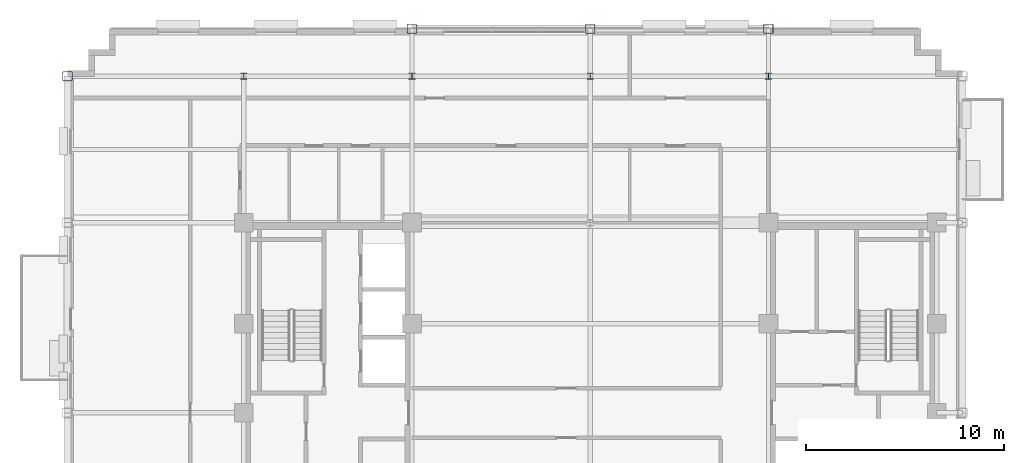
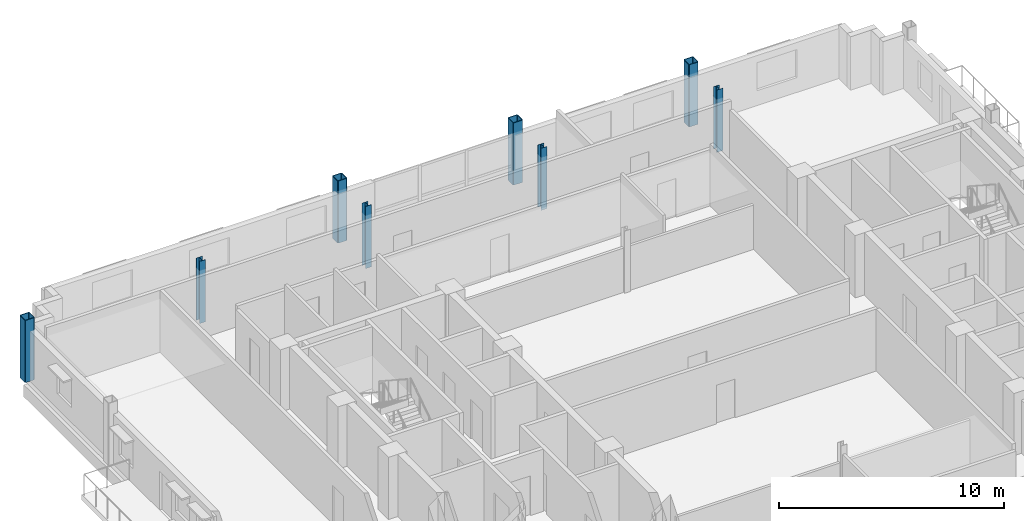
# One storey, part 3 of 15: 8 columns.
"""IFC4 building model written with IfcOpenShell, lengths in metres."""

from ifc_helpers import new_model, si_unit, direction, frame, origin, origin_2d, place, context, subcontext, project, spatial, hollow_rectangle, i_section, extrude, material, material_profile, profile_set, type_object, element, save


model = new_model("IFC4")

# Units and contexts
model_context = context("Model", 3, precision=1e-05, world=origin(), true_north=direction((0.0, 1.0)))
body_context = subcontext(model_context, "Body", "Model", "MODEL_VIEW")
ifc_project = project(units=[si_unit("LENGTHUNIT", "METRE"), si_unit("AREAUNIT", "SQUARE_METRE"), si_unit("VOLUMEUNIT", "CUBIC_METRE"), si_unit("PLANEANGLEUNIT", "RADIAN"), si_unit("MASSUNIT", "GRAM", prefix="KILO")], contexts=[model_context])

# Site, building, storey
site_placement = place(None, origin())
site = spatial("IfcSite", under=ifc_project, at=site_placement, CompositionType="ELEMENT")
building_placement = place(site_placement, origin())
building = spatial("IfcBuilding", under=site, at=building_placement, Name="Nuvemarco Arch Tower", CompositionType="ELEMENT")
storey_placement = place(building_placement, frame((0.0, 0.0, 223.75)))
storey = spatial("IfcBuildingStorey", under=building, at=storey_placement, Name="L59", CompositionType="ELEMENT", Elevation=223.75)

# Columns
ifc_material = material(Name="Steel S355", Category="steel")
ifc_material_profile_1 = material_profile(ifc_material, hollow_rectangle(XDim=0.5, YDim=0.5, WallThickness=0.031982421875, InnerFilletRadius=0.031982421875, OuterFilletRadius=0.06396484375, at=origin_2d()), Name="SHS500x500x32")
ifc_profile_set_1 = profile_set([ifc_material_profile_1], Name="Steel S355")
column_type_1 = type_object("IfcColumnType", Name="COL-EXO-500", PredefinedType="COLUMN", material=ifc_profile_set_1)
for number, where, z_axis, x_axis, name in (
    (1, (-26.39990234375, 17.0, 0.0), (0.0, 0.0, 1.0), (1.0, 0.0, 0.0), "L59 column CX_-26.4_+17.0"),
    (2, (-9.0, 19.39990234375, 0.0), (0.0, 0.0, 1.0), (1.0, 0.0, 0.0), "L59 column CY_-9.0_+19.4"),
    (3, (0.0, 19.39990234375, 0.0), (0.0, 0.0, 1.0), (1.0, 0.0, 0.0), "L59 column CY_+0.0_+19.4"),
    (4, (9.0, 19.39990234375, 0.0), (0.0, 0.0, 1.0), (1.0, 0.0, 0.0), "L59 column CY_+9.0_+19.4"),
):
    element("IfcColumn", number, at=place(storey_placement, frame(where, z_axis=z_axis, x_axis=x_axis)), inside=storey, type_object=column_type_1, Name=name, PredefinedType="COLUMN", context=body_context, shape_type="SweptSolid", body=[
        extrude(hollow_rectangle(XDim=0.5, YDim=0.5, WallThickness=0.031982421875, InnerFilletRadius=0.031982421875, OuterFilletRadius=0.06396484375, at=origin_2d()), origin(), (0.0, 0.0, 1.0), 3.3701171875),
    ])
ifc_material_profile_2 = material_profile(ifc_material, i_section(OverallWidth=0.31005859375, OverallDepth=0.31005859375, WebThickness=0.015380859375, FlangeThickness=0.015380859375, FilletRadius=0.014892578125, at=origin_2d()), Name="HP310x110")
ifc_profile_set_2 = profile_set([ifc_material_profile_2], Name="Steel S355")
column_type_2 = type_object("IfcColumnType", Name="COL-STL-HP310", PredefinedType="COLUMN", material=ifc_profile_set_2)
for number, where, z_axis, x_axis, name in (
    (5, (0.0, 17.0, 0.0), (0.0, 0.0, 1.0), (1.0, 0.0, 0.0), "L59 column CI_+0.0_+17.0"),
    (6, (-17.5, 17.0, 0.0), (0.0, 0.0, 1.0), (1.0, 0.0, 0.0), "L59 column CI_-17.5_+17.0"),
    (7, (-9.0, 17.0, 0.0), (0.0, 0.0, 1.0), (1.0, 0.0, 0.0), "L59 column CI_-9.0_+17.0"),
    (8, (9.0, 17.0, 0.0), (0.0, 0.0, 1.0), (1.0, 0.0, 0.0), "L59 column CI_+9.0_+17.0"),
):
    element("IfcColumn", number, at=place(storey_placement, frame(where, z_axis=z_axis, x_axis=x_axis)), inside=storey, type_object=column_type_2, Name=name, PredefinedType="COLUMN", context=body_context, shape_type="SweptSolid", body=[
        extrude(i_section(OverallWidth=0.31005859375, OverallDepth=0.31005859375, WebThickness=0.015380859375, FlangeThickness=0.015380859375, FilletRadius=0.014892578125, at=origin_2d()), origin(), (0.0, 0.0, 1.0), 3.3701171875),
    ])

save(model, "model.ifc")
